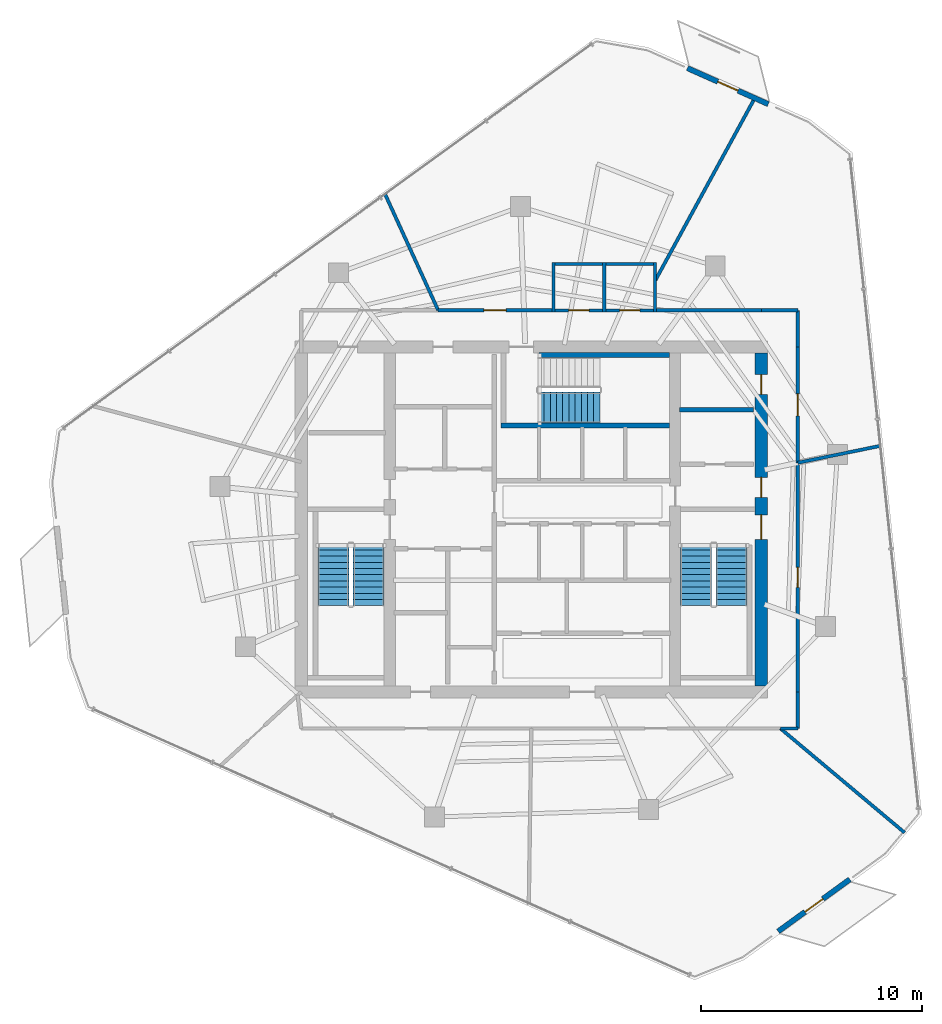
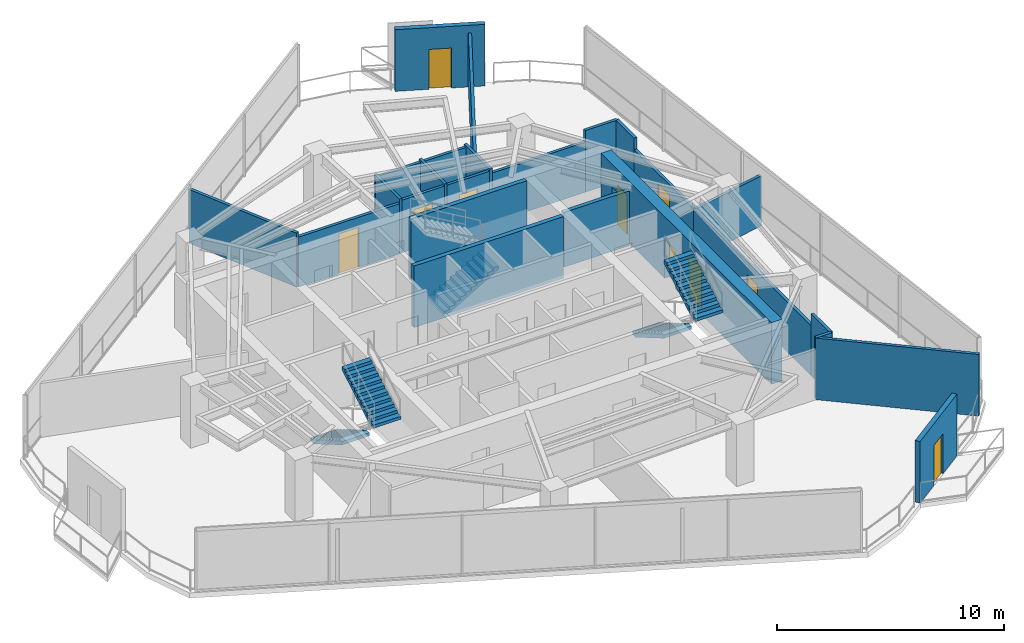
# One storey, part 17 of 20: 25 walls, 10 doors, 5 stair flights, 10 openings, 3 elements without a shape of their own.
"""IFC4 building model written with IfcOpenShell, lengths in metres."""

from ifc_helpers import new_model, si_unit, direction, frame, frame_2d, origin, place, context, subcontext, project, spatial, polyline, rectangle, outline, extrude, material, layer, layer_set, type_object, element, fill, aggregate, save


model = new_model("IFC4")

# Units and contexts
model_context = context("Model", 3, precision=1e-05, world=origin(), true_north=direction((0.0, 1.0)))
body_context = subcontext(model_context, "Body", "Model", "MODEL_VIEW")
ifc_project = project(units=[si_unit("LENGTHUNIT", "METRE"), si_unit("AREAUNIT", "SQUARE_METRE"), si_unit("VOLUMEUNIT", "CUBIC_METRE"), si_unit("PLANEANGLEUNIT", "RADIAN"), si_unit("MASSUNIT", "GRAM", prefix="KILO")], contexts=[model_context])

# Site, building, storey
site_placement = place(None, origin())
site = spatial("IfcSite", under=ifc_project, at=site_placement, CompositionType="ELEMENT")
building_placement = place(site_placement, origin())
building = spatial("IfcBuilding", under=site, at=building_placement, Name="Qarnah Convention Tower", CompositionType="ELEMENT")
storey_placement = place(building_placement, frame((0.0, 0.0, 202.199951171875)))
storey = spatial("IfcBuildingStorey", under=building, at=storey_placement, Name="L54", CompositionType="ELEMENT", Elevation=202.199951171875)

# Wall, openings, doors
ifc_material_1 = material(Name="Concrete C60/75", Category="concrete")
ifc_layer_1 = layer(ifc_material_1, 0.550048828125)
ifc_layer_set_1 = layer_set([ifc_layer_1], Name="Concrete C60/75")
wall_type_1 = type_object("IfcWallType", Name="WL-CORE-550", PredefinedType="SHEAR", material=ifc_layer_set_1)
wall_1_placement = place(storey_placement, frame((47.60009765625, 18.875, 0.0), z_axis=(0.0, 0.0, 1.0), x_axis=(0.0, 1.0, 0.0)))
wall_1 = element("IfcWall", 1, at=wall_1_placement, inside=storey, type_object=wall_type_1, Name="L54 core east shear wall", PredefinedType="SHEAR", context=body_context, shape_type="SweptSolid", body=[
    extrude(rectangle(XDim=15.050048828125, YDim=0.550048828125, at=frame_2d((7.52490234375, 0.0))), origin(), (0.0, 0.0, 1.0), 3.320068359375),
])
opening_1_placement = place(wall_1_placement, frame((6.625, 0.0, 0.0)))
opening_1 = element("IfcOpeningElement", 2, at=opening_1_placement, cuts=wall_1, Name="Opening D-5402", PredefinedType="OPENING", context=body_context, shape_type="SweptSolid", body=[
    extrude(rectangle(XDim=1.10009765625, YDim=2.14990234375, at=frame_2d((0.550048828125, 1.074951171875))), frame((0.0, 0.284912109375, 0.0), z_axis=(0.0, -1.0, 0.0), x_axis=(1.0, 0.0, 0.0)), (0.0, 0.0, 1.0), 0.570068359375),
])
opening_2_placement = place(wall_1_placement, frame((8.52490234375, 0.0, 0.0)))
opening_2 = element("IfcOpeningElement", 3, at=opening_2_placement, cuts=wall_1, Name="Opening D-5406", PredefinedType="OPENING", context=body_context, shape_type="SweptSolid", body=[
    extrude(rectangle(XDim=0.89990234375, YDim=2.10009765625, at=frame_2d((0.449951171875, 1.050048828125))), frame((0.0, 0.284912109375, 0.0), z_axis=(0.0, -1.0, 0.0), x_axis=(1.0, 0.0, 0.0)), (0.0, 0.0, 1.0), 0.570068359375),
])
opening_3_placement = place(wall_1_placement, frame((13.175048828125, 0.0, 0.0)))
opening_3 = element("IfcOpeningElement", 4, at=opening_3_placement, cuts=wall_1, Name="Opening D-5412", PredefinedType="OPENING", context=body_context, shape_type="SweptSolid", body=[
    extrude(rectangle(XDim=0.89990234375, YDim=2.10009765625, at=frame_2d((0.449951171875, 1.050048828125))), frame((0.0, 0.284912109375, 0.0), z_axis=(0.0, -1.0, 0.0), x_axis=(1.0, 0.0, 0.0)), (0.0, 0.0, 1.0), 0.570068359375),
])
ifc_material_2 = material(Name="Structural steel S355JR", Category="steel")
door_type_1 = type_object("IfcDoorType", Name="DT-RISER-900", OperationType="NOTDEFINED", PredefinedType="DOOR", material=ifc_material_2)
door_1_placement = place(opening_2_placement, origin())
door_1 = element("IfcDoor", 5, at=door_1_placement, inside=storey, type_object=door_type_1, Name="Door D-5406", OperationType="SINGLE_SWING_RIGHT", OverallHeight=2.10009765625, OverallWidth=0.89990234375, PredefinedType="DOOR", context=body_context, shape_type="SweptSolid", body=[
    extrude(rectangle(XDim=0.89990234375, YDim=2.10009765625, at=frame_2d((0.449951171875, 1.050048828125))), frame((0.0, 0.02490234375, 0.0), z_axis=(0.0, -1.0, 0.0), x_axis=(1.0, 0.0, 0.0)), (0.0, 0.0, 1.0), 0.050048828125),
])
fill(opening_2, door_1)
door_2_placement = place(opening_3_placement, origin())
door_2 = element("IfcDoor", 6, at=door_2_placement, inside=storey, type_object=door_type_1, Name="Door D-5412", OperationType="SINGLE_SWING_RIGHT", OverallHeight=2.10009765625, OverallWidth=0.89990234375, PredefinedType="DOOR", context=body_context, shape_type="SweptSolid", body=[
    extrude(rectangle(XDim=0.89990234375, YDim=2.10009765625, at=frame_2d((0.449951171875, 1.050048828125))), frame((0.0, 0.02490234375, 0.0), z_axis=(0.0, -1.0, 0.0), x_axis=(1.0, 0.0, 0.0)), (0.0, 0.0, 1.0), 0.050048828125),
])
fill(opening_3, door_2)
door_type_2 = type_object("IfcDoorType", Name="DT-STAIR-1100", OperationType="NOTDEFINED", PredefinedType="DOOR", material=ifc_material_2)
door_3_placement = place(opening_1_placement, origin())
door_3 = element("IfcDoor", 7, at=door_3_placement, inside=storey, type_object=door_type_2, Name="Door D-5402", OperationType="SINGLE_SWING_RIGHT", OverallHeight=2.14990234375, OverallWidth=1.10009765625, PredefinedType="DOOR", context=body_context, shape_type="SweptSolid", body=[
    extrude(rectangle(XDim=1.10009765625, YDim=2.14990234375, at=frame_2d((0.550048828125, 1.074951171875))), frame((0.0, 0.02490234375, 0.0), z_axis=(0.0, -1.0, 0.0), x_axis=(1.0, 0.0, 0.0)), (0.0, 0.0, 1.0), 0.050048828125),
])
fill(opening_1, door_3)

# Walls
ifc_material_3 = material(Name="Concrete C45/55", Category="concrete")
ifc_layer_2 = layer(ifc_material_3, 0.199951171875)
ifc_layer_set_2 = layer_set([ifc_layer_2], Name="Concrete C45/55")
wall_type_2 = type_object("IfcWallType", Name="WL-CORE-PART-200", PredefinedType="SOLIDWALL", material=ifc_layer_set_2)
wall_2_placement = place(storey_placement, frame((43.89990234375, 31.35009765625, 0.0), z_axis=(0.0, 0.0, 1.0), x_axis=(1.0, 0.0, 0.0)))
element("IfcWall", 8, at=wall_2_placement, inside=storey, type_object=wall_type_2, Name="L54 interior wall IW-L54-WTRN", PredefinedType="SOLIDWALL", context=body_context, shape_type="SweptSolid", body=[
    extrude(rectangle(XDim=3.35009765625, YDim=0.199951171875, at=frame_2d((1.675048828125, 0.0))), origin(), (0.0, 0.0, 1.0), 2.948974609375),
])
ifc_layer_3 = layer(ifc_material_1, 0.219970703125)
ifc_layer_set_3 = layer_set([ifc_layer_3], Name="Concrete C60/75")
wall_type_3 = type_object("IfcWallType", Name="WL-CORE-STAIR-220", PredefinedType="SHEAR", material=ifc_layer_set_3)
wall_3_placement = place(storey_placement, frame((35.840087890625, 30.639892578125, 0.0), z_axis=(0.0, 0.0, 1.0), x_axis=(1.0, 0.0, 0.0)))
element("IfcWall", 9, at=wall_3_placement, inside=storey, type_object=wall_type_3, Name="L54 stair shaft shear wall SW-L54-ST3S", PredefinedType="SHEAR", context=body_context, shape_type="SweptSolid", body=[
    extrude(rectangle(XDim=7.60986328125, YDim=0.219970703125, at=frame_2d((3.804931640625, 0.0))), origin(), (0.0, 0.0, 1.0), 3.320068359375),
])
wall_4_placement = place(storey_placement, frame((37.550048828125, 33.840087890625, 0.0), z_axis=(0.0, 0.0, 1.0), x_axis=(1.0, 0.0, 0.0)))
element("IfcWall", 10, at=wall_4_placement, inside=storey, type_object=wall_type_3, Name="L54 stair shaft shear wall SW-L54-ST3N", PredefinedType="SHEAR", context=body_context, shape_type="SweptSolid", body=[
    extrude(rectangle(XDim=5.89990234375, YDim=0.219970703125, at=frame_2d((2.949951171875, 0.0))), origin(), (0.0, 0.0, 1.0), 3.320068359375),
])

# Wall, opening, door
ifc_material_4 = material(Name="Precast concrete C45/55", Category="concrete")
ifc_layer_4 = layer(ifc_material_4, 0.239990234375)
ifc_layer_set_4 = layer_set([ifc_layer_4], Name="Precast concrete C45/55")
wall_type_4 = type_object("IfcWallType", Name="WL-EXT-BAL-240", PredefinedType="SOLIDWALL", material=ifc_layer_set_4)
wall_5_placement = place(storey_placement, frame((44.260009765625, 46.801025390625, 0.0), z_axis=(0.0, 0.0, 1.0), x_axis=(0.913539509426, -0.406750002727, 0.0)))
wall_5 = element("IfcWall", 11, at=wall_5_placement, inside=storey, type_object=wall_type_4, Name="L54 loggia threshold wall BAL-L54-C1", PredefinedType="SOLIDWALL", context=body_context, shape_type="SweptSolid", body=[
    extrude(rectangle(XDim=4.0, YDim=0.239990234375, at=frame_2d((2.0, 0.0))), origin(), (0.0, 0.0, 1.0), 3.320068359375),
])
opening_4_placement = place(wall_5_placement, frame((1.5, 0.0, 0.0)))
opening_4 = element("IfcOpeningElement", 12, at=opening_4_placement, cuts=wall_5, Name="Opening BD-5401", PredefinedType="OPENING", context=body_context, shape_type="SweptSolid", body=[
    extrude(rectangle(XDim=1.0, YDim=2.14990234375, at=frame_2d((0.5, 1.074951171875))), frame((0.0, 0.1298828125, 0.0), z_axis=(0.0, -1.0, 0.0), x_axis=(1.0, 0.0, 0.0)), (0.0, 0.0, 1.0), 0.260009765625),
])
ifc_material_5 = material(Name="Black anodised aluminium", Category="aluminium")
door_type_3 = type_object("IfcDoorType", Name="DT-BAL-1000", OperationType="NOTDEFINED", PredefinedType="DOOR", material=ifc_material_5)
door_4_placement = place(opening_4_placement, origin())
door_4 = element("IfcDoor", 13, at=door_4_placement, inside=storey, type_object=door_type_3, Name="L54 balcony terrace door BAL-L54-C1", OperationType="SINGLE_SWING_LEFT", OverallHeight=2.14990234375, OverallWidth=1.0, PredefinedType="DOOR", context=body_context, shape_type="SweptSolid", body=[
    extrude(rectangle(XDim=1.0, YDim=2.14990234375, at=frame_2d((0.5, 1.074951171875))), frame((0.0, 0.02490234375, 0.0), z_axis=(0.0, -1.0, 0.0), x_axis=(1.0, 0.0, 0.0)), (0.0, 0.0, 1.0), 0.050048828125),
])
fill(opening_4, door_4)

wall_6_placement = place(storey_placement, frame((51.597900390625, 10.1259765625, 0.0), z_axis=(0.0, 0.0, 1.0), x_axis=(-0.80900522917, -0.587801445368, 0.0)))
wall_6 = element("IfcWall", 14, at=wall_6_placement, inside=storey, type_object=wall_type_4, Name="L54 loggia threshold wall BAL-L54-C3", PredefinedType="SOLIDWALL", context=body_context, shape_type="SweptSolid", body=[
    extrude(rectangle(XDim=3.999755859375, YDim=0.239990234375, at=frame_2d((2.0, 0.0))), origin(), (0.0, 0.0, 1.0), 3.320068359375),
])
opening_5_placement = place(wall_6_placement, frame((1.5, 0.0, 0.0)))
opening_5 = element("IfcOpeningElement", 15, at=opening_5_placement, cuts=wall_6, Name="Opening BD-5403", PredefinedType="OPENING", context=body_context, shape_type="SweptSolid", body=[
    extrude(rectangle(XDim=1.0, YDim=2.14990234375, at=frame_2d((0.5, 1.074951171875))), frame((0.0, 0.1298828125, 0.0), z_axis=(0.0, -1.0, 0.0), x_axis=(1.0, 0.0, 0.0)), (0.0, 0.0, 1.0), 0.260009765625),
])
door_5_placement = place(opening_5_placement, origin())
door_5 = element("IfcDoor", 16, at=door_5_placement, inside=storey, type_object=door_type_3, Name="L54 balcony terrace door BAL-L54-C3", OperationType="SINGLE_SWING_LEFT", OverallHeight=2.14990234375, OverallWidth=1.0, PredefinedType="DOOR", context=body_context, shape_type="SweptSolid", body=[
    extrude(rectangle(XDim=1.0, YDim=2.14990234375, at=frame_2d((0.5, 1.074951171875))), frame((0.0, 0.02490234375, 0.0), z_axis=(0.0, -1.0, 0.0), x_axis=(1.0, 0.0, 0.0)), (0.0, 0.0, 1.0), 0.050048828125),
])
fill(opening_5, door_5)

# Walls
ifc_material_6 = material(Name="Gypsum partition board")
ifc_layer_5 = layer(ifc_material_6, 0.14990234375)
ifc_layer_set_5 = layer_set([ifc_layer_5], Name="Gypsum partition board")
wall_type_5 = type_object("IfcWallType", Name="WL-SUITE-150", PredefinedType="PARTITIONING", material=ifc_layer_set_5)
wall_7_placement = place(storey_placement, frame((47.33203125, 45.498046875, 0.0), z_axis=(0.0, 0.0, 1.0), x_axis=(-0.479103466894, -0.877758433745, 0.0)))
element("IfcWall", 17, at=wall_7_placement, inside=storey, type_object=wall_type_5, Name="L54 interior wall IW-L54-R-08", PredefinedType="PARTITIONING", context=body_context, shape_type="SweptSolid", body=[
    extrude(rectangle(XDim=9.459228515625, YDim=0.14990234375, at=frame_2d((4.7294921875, 0.0))), origin(), (0.0, 0.0, 1.0), 2.905029296875),
])
wall_8_placement = place(storey_placement, frame((42.8701171875, 35.85009765625, 0.0), z_axis=(0.0, 0.0, 1.0), x_axis=(1.0, 0.0, 0.0)))
element("IfcWall", 18, at=wall_8_placement, inside=storey, type_object=wall_type_5, Name="L54 interior wall IW-L54-R-09", PredefinedType="PARTITIONING", context=body_context, shape_type="SweptSolid", body=[
    extrude(rectangle(XDim=4.72998046875, YDim=0.14990234375, at=frame_2d((2.364990234375, 0.0))), origin(), (0.0, 0.0, 1.0), 2.697021484375),
])
wall_9_placement = place(storey_placement, frame((47.60009765625, 35.85009765625, 0.0), z_axis=(0.0, 0.0, 1.0), x_axis=(1.0, 0.0, 0.0)))
element("IfcWall", 19, at=wall_9_placement, inside=storey, type_object=wall_type_5, Name="L54 interior wall IW-L54-R-10", PredefinedType="PARTITIONING", context=body_context, shape_type="SweptSolid", body=[
    extrude(rectangle(XDim=1.64990234375, YDim=0.14990234375, at=frame_2d((0.824951171875, 0.0))), origin(), (0.0, 0.0, 1.0), 3.320068359375),
])
wall_10_placement = place(storey_placement, frame((49.25, 35.85009765625, 0.0), z_axis=(0.0, 0.0, 1.0), x_axis=(0.0, -1.0, 0.0)))
element("IfcWall", 20, at=wall_10_placement, inside=storey, type_object=wall_type_5, Name="L54 interior wall IW-L54-R-11", PredefinedType="PARTITIONING", context=body_context, shape_type="SweptSolid", body=[
    extrude(rectangle(XDim=1.650146484375, YDim=0.14990234375, at=frame_2d((0.8251953125, 0.0))), origin(), (0.0, 0.0, 1.0), 3.320068359375),
])

# Wall, opening, door
wall_11_placement = place(storey_placement, frame((49.25, 34.199951171875, 0.0), z_axis=(0.0, 0.0, 1.0), x_axis=(0.0, -1.0, 0.0)))
wall_11 = element("IfcWall", 21, at=wall_11_placement, inside=storey, type_object=wall_type_5, Name="L54 interior wall IW-L54-R-12", PredefinedType="PARTITIONING", context=body_context, shape_type="SweptSolid", body=[
    extrude(rectangle(XDim=5.239013671875, YDim=0.14990234375, at=frame_2d((2.61962890625, 0.0))), origin(), (0.0, 0.0, 1.0), 2.697021484375),
])
opening_6_placement = place(wall_11_placement, frame((2.1201171875, 0.0, 0.0)))
opening_6 = element("IfcOpeningElement", 22, at=opening_6_placement, cuts=wall_11, Name="Opening D-5420", PredefinedType="OPENING", context=body_context, shape_type="SweptSolid", body=[
    extrude(rectangle(XDim=1.0, YDim=2.14990234375, at=frame_2d((0.5, 1.074951171875))), frame((0.0, 0.0849609375, 0.0), z_axis=(0.0, -1.0, 0.0), x_axis=(1.0, 0.0, 0.0)), (0.0, 0.0, 1.0), 0.169921875),
])
ifc_material_7 = material(Name="Oak timber veneer", Category="wood")
door_type_4 = type_object("IfcDoorType", Name="DT-OFFICE-1000", OperationType="NOTDEFINED", PredefinedType="DOOR", material=ifc_material_7)
door_6_placement = place(opening_6_placement, origin())
door_6 = element("IfcDoor", 23, at=door_6_placement, inside=storey, type_object=door_type_4, Name="Door D-5420", OperationType="SINGLE_SWING_RIGHT", OverallHeight=2.14990234375, OverallWidth=1.0, PredefinedType="DOOR", context=body_context, shape_type="SweptSolid", body=[
    extrude(rectangle(XDim=1.0, YDim=2.14990234375, at=frame_2d((0.5, 1.074951171875))), frame((0.0, 0.02490234375, 0.0), z_axis=(0.0, -1.0, 0.0), x_axis=(1.0, 0.0, 0.0)), (0.0, 0.0, 1.0), 0.050048828125),
])
fill(opening_6, door_6)

# Walls
wall_12_placement = place(storey_placement, frame((49.25, 28.9609375, 0.0), z_axis=(0.0, 0.0, 1.0), x_axis=(0.979663432647, 0.200647847571, 0.0)))
element("IfcWall", 24, at=wall_12_placement, inside=storey, type_object=wall_type_5, Name="L54 interior wall IW-L54-R-13", PredefinedType="PARTITIONING", context=body_context, shape_type="SweptSolid", body=[
    extrude(rectangle(XDim=3.852294921875, YDim=0.14990234375, at=frame_2d((1.92626953125, 0.0))), origin(), (0.0, 0.0, 1.0), 2.697021484375),
])
wall_13_placement = place(storey_placement, frame((30.572021484375, 41.14404296875, 0.0), z_axis=(0.0, 0.0, 1.0), x_axis=(0.415874730244, -0.909421909097, 0.0)))
element("IfcWall", 25, at=wall_13_placement, inside=storey, type_object=wall_type_5, Name="L54 interior wall IW-L54-R-14", PredefinedType="PARTITIONING", context=body_context, shape_type="SweptSolid", body=[
    extrude(rectangle(XDim=5.8212890625, YDim=0.14990234375, at=frame_2d((2.91064453125, 0.0))), origin(), (0.0, 0.0, 1.0), 2.905029296875),
])

# Wall, opening, door
wall_14_placement = place(storey_placement, frame((32.992919921875, 35.85009765625, 0.0), z_axis=(0.0, 0.0, 1.0), x_axis=(1.0, 0.0, 0.0)))
wall_14 = element("IfcWall", 26, at=wall_14_placement, inside=storey, type_object=wall_type_5, Name="L54 interior wall IW-L54-R-15", PredefinedType="PARTITIONING", context=body_context, shape_type="SweptSolid", body=[
    extrude(rectangle(XDim=5.136962890625, YDim=0.14990234375, at=frame_2d((2.568359375, 0.0))), origin(), (0.0, 0.0, 1.0), 2.697021484375),
])
opening_7_placement = place(wall_14_placement, frame((2.068115234375, 0.0, 0.0)))
opening_7 = element("IfcOpeningElement", 27, at=opening_7_placement, cuts=wall_14, Name="Opening D-5421", PredefinedType="OPENING", context=body_context, shape_type="SweptSolid", body=[
    extrude(rectangle(XDim=1.0, YDim=2.14990234375, at=frame_2d((0.5, 1.074951171875))), frame((0.0, 0.0849609375, 0.0), z_axis=(0.0, -1.0, 0.0), x_axis=(1.0, 0.0, 0.0)), (0.0, 0.0, 1.0), 0.169921875),
])
door_7_placement = place(opening_7_placement, origin())
door_7 = element("IfcDoor", 28, at=door_7_placement, inside=storey, type_object=door_type_4, Name="Door D-5421", OperationType="SINGLE_SWING_LEFT", OverallHeight=2.14990234375, OverallWidth=1.0, PredefinedType="DOOR", context=body_context, shape_type="SweptSolid", body=[
    extrude(rectangle(XDim=1.0, YDim=2.14990234375, at=frame_2d((0.5, 1.074951171875))), frame((0.0, 0.02490234375, 0.0), z_axis=(0.0, -1.0, 0.0), x_axis=(1.0, 0.0, 0.0)), (0.0, 0.0, 1.0), 0.050048828125),
])
fill(opening_7, door_7)

# Wall
wall_15_placement = place(storey_placement, frame((54.074951171875, 12.239990234375, 0.0), z_axis=(0.0, 0.0, 1.0), x_axis=(-0.766040171192, 0.642792700737, 0.0)))
element("IfcWall", 29, at=wall_15_placement, inside=storey, type_object=wall_type_5, Name="L54 interior wall IW-L54-R-23", PredefinedType="PARTITIONING", context=body_context, shape_type="SweptSolid", body=[
    extrude(rectangle(XDim=7.327392578125, YDim=0.14990234375, at=frame_2d((3.66357421875, 0.0))), origin(), (0.0, 0.0, 1.0), 3.320068359375),
])

# Wall, opening, door
wall_16_placement = place(storey_placement, frame((49.25, 28.9609375, 0.0), z_axis=(0.0, 0.0, 1.0), x_axis=(0.0, -1.0, 0.0)))
wall_16 = element("IfcWall", 30, at=wall_16_placement, inside=storey, type_object=wall_type_5, Name="L54 interior wall IW-L54-R-25", PredefinedType="PARTITIONING", context=body_context, shape_type="SweptSolid", body=[
    extrude(rectangle(XDim=10.36083984375, YDim=0.14990234375, at=frame_2d((5.180419921875, 0.0))), origin(), (0.0, 0.0, 1.0), 2.697021484375),
])
opening_8_placement = place(wall_16_placement, frame((4.72998046875, 0.0, 0.0)))
opening_8 = element("IfcOpeningElement", 31, at=opening_8_placement, cuts=wall_16, Name="Opening D-5426", PredefinedType="OPENING", context=body_context, shape_type="SweptSolid", body=[
    extrude(rectangle(XDim=0.89990234375, YDim=2.0, at=frame_2d((0.449951171875, 1.0))), frame((0.0, 0.0849609375, 0.0), z_axis=(0.0, -1.0, 0.0), x_axis=(1.0, 0.0, 0.0)), (0.0, 0.0, 1.0), 0.169921875),
])
door_type_5 = type_object("IfcDoorType", Name="DT-PLANT-900", OperationType="NOTDEFINED", PredefinedType="DOOR", material=ifc_material_2)
door_8_placement = place(opening_8_placement, origin())
door_8 = element("IfcDoor", 32, at=door_8_placement, inside=storey, type_object=door_type_5, Name="Door D-5426", OperationType="SINGLE_SWING_RIGHT", OverallHeight=2.0, OverallWidth=0.89990234375, PredefinedType="DOOR", context=body_context, shape_type="SweptSolid", body=[
    extrude(rectangle(XDim=0.89990234375, YDim=2.0, at=frame_2d((0.449951171875, 1.0))), frame((0.0, 0.02490234375, 0.0), z_axis=(0.0, -1.0, 0.0), x_axis=(1.0, 0.0, 0.0)), (0.0, 0.0, 1.0), 0.050048828125),
])
fill(opening_8, door_8)

# Walls
wall_17_placement = place(storey_placement, frame((49.25, 18.60009765625, 0.0), z_axis=(0.0, 0.0, 1.0), x_axis=(0.0, -1.0, 0.0)))
element("IfcWall", 33, at=wall_17_placement, inside=storey, type_object=wall_type_5, Name="L54 interior wall IW-L54-R-26", PredefinedType="PARTITIONING", context=body_context, shape_type="SweptSolid", body=[
    extrude(rectangle(XDim=1.650146484375, YDim=0.14990234375, at=frame_2d((0.8251953125, 0.0))), origin(), (0.0, 0.0, 1.0), 3.320068359375),
])
wall_18_placement = place(storey_placement, frame((49.25, 16.949951171875, 0.0), z_axis=(0.0, 0.0, 1.0), x_axis=(-1.0, 0.0, 0.0)))
element("IfcWall", 34, at=wall_18_placement, inside=storey, type_object=wall_type_5, Name="L54 interior wall IW-L54-R-27", PredefinedType="PARTITIONING", context=body_context, shape_type="SweptSolid", body=[
    extrude(rectangle(XDim=0.7880859375, YDim=0.14990234375, at=frame_2d((0.39404296875, 0.0))), origin(), (0.0, 0.0, 1.0), 3.320068359375),
])

# Wall, opening, door
ifc_layer_6 = layer(ifc_material_6, 0.139892578125)
ifc_layer_set_6 = layer_set([ifc_layer_6], Name="Gypsum partition board")
wall_type_6 = type_object("IfcWallType", Name="WL-WET-140", PredefinedType="PARTITIONING", material=ifc_layer_set_6)
wall_19_placement = place(storey_placement, frame((38.1298828125, 35.85009765625, 0.0), z_axis=(0.0, 0.0, 1.0), x_axis=(1.0, 0.0, 0.0)))
wall_19 = element("IfcWall", 35, at=wall_19_placement, inside=storey, type_object=wall_type_6, Name="L54 interior wall IW-L54-WCM-1", PredefinedType="PARTITIONING", context=body_context, shape_type="SweptSolid", body=[
    extrude(rectangle(XDim=2.440185546875, YDim=0.139892578125, at=frame_2d((1.22021484375, 0.0))), origin(), (0.0, 0.0, 1.0), 2.841064453125),
])
opening_9_placement = place(wall_19_placement, frame((0.760009765625, 0.0, 0.0)))
opening_9 = element("IfcOpeningElement", 36, at=opening_9_placement, cuts=wall_19, Name="Opening D-5418", PredefinedType="OPENING", context=body_context, shape_type="SweptSolid", body=[
    extrude(rectangle(XDim=0.919921875, YDim=2.10009765625, at=frame_2d((0.4599609375, 1.050048828125))), frame((0.0, 0.079833984375, 0.0), z_axis=(0.0, -1.0, 0.0), x_axis=(1.0, 0.0, 0.0)), (0.0, 0.0, 1.0), 0.159912109375),
])
door_type_6 = type_object("IfcDoorType", Name="DT-WC-920", OperationType="NOTDEFINED", PredefinedType="DOOR", material=ifc_material_7)
door_9_placement = place(opening_9_placement, origin())
door_9 = element("IfcDoor", 37, at=door_9_placement, inside=storey, type_object=door_type_6, Name="Door D-5418", OperationType="SINGLE_SWING_RIGHT", OverallHeight=2.10009765625, OverallWidth=0.919921875, PredefinedType="DOOR", context=body_context, shape_type="SweptSolid", body=[
    extrude(rectangle(XDim=0.919921875, YDim=2.10009765625, at=frame_2d((0.4599609375, 1.050048828125))), frame((0.0, 0.02490234375, 0.0), z_axis=(0.0, -1.0, 0.0), x_axis=(1.0, 0.0, 0.0)), (0.0, 0.0, 1.0), 0.050048828125),
])
fill(opening_9, door_9)

# Walls
wall_20_placement = place(storey_placement, frame((40.5, 35.780029296875, 0.0), z_axis=(0.0, 0.0, 1.0), x_axis=(0.0, 1.0, 0.0)))
element("IfcWall", 38, at=wall_20_placement, inside=storey, type_object=wall_type_6, Name="L54 interior wall IW-L54-WCM-2", PredefinedType="PARTITIONING", context=body_context, shape_type="SweptSolid", body=[
    extrude(rectangle(XDim=2.239990234375, YDim=0.139892578125, at=frame_2d((1.1201171875, 0.0))), origin(), (0.0, 0.0, 1.0), 2.948974609375),
])
wall_21_placement = place(storey_placement, frame((40.570068359375, 37.949951171875, 0.0), z_axis=(0.0, 0.0, 1.0), x_axis=(-1.0, 0.0, 0.0)))
element("IfcWall", 39, at=wall_21_placement, inside=storey, type_object=wall_type_6, Name="L54 interior wall IW-L54-WCM-3", PredefinedType="PARTITIONING", context=body_context, shape_type="SweptSolid", body=[
    extrude(rectangle(XDim=2.440185546875, YDim=0.139892578125, at=frame_2d((1.22021484375, 0.0))), origin(), (0.0, 0.0, 1.0), 2.841064453125),
])
wall_22_placement = place(storey_placement, frame((38.199951171875, 38.02001953125, 0.0), z_axis=(0.0, 0.0, 1.0), x_axis=(0.0, -1.0, 0.0)))
element("IfcWall", 40, at=wall_22_placement, inside=storey, type_object=wall_type_6, Name="L54 interior wall IW-L54-WCM-4", PredefinedType="PARTITIONING", context=body_context, shape_type="SweptSolid", body=[
    extrude(rectangle(XDim=2.239990234375, YDim=0.139892578125, at=frame_2d((1.1201171875, 0.0))), origin(), (0.0, 0.0, 1.0), 2.948974609375),
])

# Wall, opening, door
wall_23_placement = place(storey_placement, frame((40.429931640625, 35.85009765625, 0.0), z_axis=(0.0, 0.0, 1.0), x_axis=(1.0, 0.0, 0.0)))
wall_23 = element("IfcWall", 41, at=wall_23_placement, inside=storey, type_object=wall_type_6, Name="L54 interior wall IW-L54-WCF-1", PredefinedType="PARTITIONING", context=body_context, shape_type="SweptSolid", body=[
    extrude(rectangle(XDim=2.440185546875, YDim=0.139892578125, at=frame_2d((1.22021484375, 0.0))), origin(), (0.0, 0.0, 1.0), 2.841064453125),
])
opening_10_placement = place(wall_23_placement, frame((0.760009765625, 0.0, 0.0)))
opening_10 = element("IfcOpeningElement", 42, at=opening_10_placement, cuts=wall_23, Name="Opening D-5419", PredefinedType="OPENING", context=body_context, shape_type="SweptSolid", body=[
    extrude(rectangle(XDim=0.919921875, YDim=2.10009765625, at=frame_2d((0.4599609375, 1.050048828125))), frame((0.0, 0.079833984375, 0.0), z_axis=(0.0, -1.0, 0.0), x_axis=(1.0, 0.0, 0.0)), (0.0, 0.0, 1.0), 0.159912109375),
])
door_10_placement = place(opening_10_placement, origin())
door_10 = element("IfcDoor", 43, at=door_10_placement, inside=storey, type_object=door_type_6, Name="Door D-5419", OperationType="SINGLE_SWING_LEFT", OverallHeight=2.10009765625, OverallWidth=0.919921875, PredefinedType="DOOR", context=body_context, shape_type="SweptSolid", body=[
    extrude(rectangle(XDim=0.919921875, YDim=2.10009765625, at=frame_2d((0.4599609375, 1.050048828125))), frame((0.0, 0.02490234375, 0.0), z_axis=(0.0, -1.0, 0.0), x_axis=(1.0, 0.0, 0.0)), (0.0, 0.0, 1.0), 0.050048828125),
])
fill(opening_10, door_10)

# Walls
wall_24_placement = place(storey_placement, frame((42.800048828125, 35.780029296875, 0.0), z_axis=(0.0, 0.0, 1.0), x_axis=(0.0, 1.0, 0.0)))
element("IfcWall", 44, at=wall_24_placement, inside=storey, type_object=wall_type_6, Name="L54 interior wall IW-L54-WCF-2", PredefinedType="PARTITIONING", context=body_context, shape_type="SweptSolid", body=[
    extrude(rectangle(XDim=2.239990234375, YDim=0.139892578125, at=frame_2d((1.1201171875, 0.0))), origin(), (0.0, 0.0, 1.0), 2.948974609375),
])
wall_25_placement = place(storey_placement, frame((42.8701171875, 37.949951171875, 0.0), z_axis=(0.0, 0.0, 1.0), x_axis=(-1.0, 0.0, 0.0)))
element("IfcWall", 45, at=wall_25_placement, inside=storey, type_object=wall_type_6, Name="L54 interior wall IW-L54-WCF-3", PredefinedType="PARTITIONING", context=body_context, shape_type="SweptSolid", body=[
    extrude(rectangle(XDim=2.440185546875, YDim=0.139892578125, at=frame_2d((1.22021484375, 0.0))), origin(), (0.0, 0.0, 1.0), 2.841064453125),
])

# Stair, stair flights
ifc_material_8 = material(Name="Concrete C50/60", Category="concrete")
stair_type = type_object("IfcStairType", Name="STR-OFF", PredefinedType="HALF_TURN_STAIR", material=ifc_material_8)
stair_1_placement = place(storey_placement, origin())
stair_1 = element("IfcStair", 46, at=stair_1_placement, inside=storey, type_object=stair_type, Name="L54 Core exit stair ST-1", PredefinedType="HALF_TURN_STAIR")
stair_flight_type = type_object("IfcStairFlightType", Name="FLT-OFF", PredefinedType="STRAIGHT", material=ifc_material_8)
stair_flight_1_placement = place(storey_placement, frame((28.25, 25.300048828125, 0.0), z_axis=(0.0, 0.0, 1.0), x_axis=(0.0, -1.0, 0.0)))
stair_flight_1 = element("IfcStairFlight", 47, at=stair_flight_1_placement, type_object=stair_flight_type, Name="ST-1 flight 1", NumberOfRisers=11, NumberOfTreads=10, PredefinedType="STRAIGHT", RiserHeight=0.163636364, TreadLength=0.28, context=body_context, shape_type="SweptSolid", body=[
    extrude(outline(polyline([(0.0, 0.0), (0.0, 0.16357421875), (0.280029296875, 0.16357421875), (0.280029296875, 0.327392578125), (0.56005859375, 0.327392578125), (0.56005859375, 0.490966796875), (0.840087890625, 0.490966796875), (0.840087890625, 0.654541015625), (1.1201171875, 0.654541015625), (1.1201171875, 0.818115234375), (1.39990234375, 0.818115234375), (1.39990234375, 0.98193359375), (1.679931640625, 0.98193359375), (1.679931640625, 1.1455078125), (1.9599609375, 1.1455078125), (1.9599609375, 1.30908203125), (2.239990234375, 1.30908203125), (2.239990234375, 1.47265625), (2.52001953125, 1.47265625), (2.52001953125, 1.636474609375), (2.800048828125, 1.636474609375), (2.800048828125, 1.800048828125), (2.800048828125, 1.462646484375), (0.297119140625, 0.0), (0.0, 0.0)])), frame((0.0, 0.699951171875, 0.0), z_axis=(0.0, -1.0, 0.0), x_axis=(1.0, 0.0, 0.0)), (0.0, 0.0, 1.0), 1.39990234375),
])
stair_flight_2_placement = place(storey_placement, frame((29.85009765625, 22.5, 1.800048828125), z_axis=(0.0, 0.0, 1.0), x_axis=(0.0, 1.0, 0.0)))
stair_flight_2 = element("IfcStairFlight", 48, at=stair_flight_2_placement, type_object=stair_flight_type, Name="ST-1 flight 2", NumberOfRisers=11, NumberOfTreads=10, PredefinedType="STRAIGHT", RiserHeight=0.163636364, TreadLength=0.28, context=body_context, shape_type="SweptSolid", body=[
    extrude(outline(polyline([(0.0, 0.0), (0.0, 0.16357421875), (0.280029296875, 0.16357421875), (0.280029296875, 0.327392578125), (0.56005859375, 0.327392578125), (0.56005859375, 0.490966796875), (0.840087890625, 0.490966796875), (0.840087890625, 0.654541015625), (1.1201171875, 0.654541015625), (1.1201171875, 0.818115234375), (1.39990234375, 0.818115234375), (1.39990234375, 0.98193359375), (1.679931640625, 0.98193359375), (1.679931640625, 1.1455078125), (1.9599609375, 1.1455078125), (1.9599609375, 1.30908203125), (2.239990234375, 1.30908203125), (2.239990234375, 1.47265625), (2.52001953125, 1.47265625), (2.52001953125, 1.636474609375), (2.800048828125, 1.636474609375), (2.800048828125, 1.800048828125), (2.800048828125, 1.462646484375), (0.297119140625, 0.0), (0.0, 0.0)])), frame((0.0, 0.699951171875, 0.0), z_axis=(0.0, -1.0, 0.0), x_axis=(1.0, 0.0, 0.0)), (0.0, 0.0, 1.0), 1.39990234375),
])
aggregate(stair_1, [stair_flight_1, stair_flight_2])

stair_2_placement = place(storey_placement, origin())
stair_2 = element("IfcStair", 49, at=stair_2_placement, inside=storey, type_object=stair_type, Name="L54 Core exit stair ST-2", PredefinedType="HALF_TURN_STAIR")
stair_flight_3_placement = place(storey_placement, frame((44.64990234375, 25.300048828125, 0.0), z_axis=(0.0, 0.0, 1.0), x_axis=(0.0, -1.0, 0.0)))
stair_flight_3 = element("IfcStairFlight", 50, at=stair_flight_3_placement, type_object=stair_flight_type, Name="ST-2 flight 1", NumberOfRisers=11, NumberOfTreads=10, PredefinedType="STRAIGHT", RiserHeight=0.163636364, TreadLength=0.28, context=body_context, shape_type="SweptSolid", body=[
    extrude(outline(polyline([(0.0, 0.0), (0.0, 0.16357421875), (0.280029296875, 0.16357421875), (0.280029296875, 0.327392578125), (0.56005859375, 0.327392578125), (0.56005859375, 0.490966796875), (0.840087890625, 0.490966796875), (0.840087890625, 0.654541015625), (1.1201171875, 0.654541015625), (1.1201171875, 0.818115234375), (1.39990234375, 0.818115234375), (1.39990234375, 0.98193359375), (1.679931640625, 0.98193359375), (1.679931640625, 1.1455078125), (1.9599609375, 1.1455078125), (1.9599609375, 1.30908203125), (2.239990234375, 1.30908203125), (2.239990234375, 1.47265625), (2.52001953125, 1.47265625), (2.52001953125, 1.636474609375), (2.800048828125, 1.636474609375), (2.800048828125, 1.800048828125), (2.800048828125, 1.462646484375), (0.297119140625, 0.0), (0.0, 0.0)])), frame((0.0, 0.699951171875, 0.0), z_axis=(0.0, -1.0, 0.0), x_axis=(1.0, 0.0, 0.0)), (0.0, 0.0, 1.0), 1.39990234375),
])
stair_flight_4_placement = place(storey_placement, frame((46.25, 22.5, 1.800048828125), z_axis=(0.0, 0.0, 1.0), x_axis=(0.0, 1.0, 0.0)))
stair_flight_4 = element("IfcStairFlight", 51, at=stair_flight_4_placement, type_object=stair_flight_type, Name="ST-2 flight 2", NumberOfRisers=11, NumberOfTreads=10, PredefinedType="STRAIGHT", RiserHeight=0.163636364, TreadLength=0.28, context=body_context, shape_type="SweptSolid", body=[
    extrude(outline(polyline([(0.0, 0.0), (0.0, 0.16357421875), (0.280029296875, 0.16357421875), (0.280029296875, 0.327392578125), (0.56005859375, 0.327392578125), (0.56005859375, 0.490966796875), (0.840087890625, 0.490966796875), (0.840087890625, 0.654541015625), (1.1201171875, 0.654541015625), (1.1201171875, 0.818115234375), (1.39990234375, 0.818115234375), (1.39990234375, 0.98193359375), (1.679931640625, 0.98193359375), (1.679931640625, 1.1455078125), (1.9599609375, 1.1455078125), (1.9599609375, 1.30908203125), (2.239990234375, 1.30908203125), (2.239990234375, 1.47265625), (2.52001953125, 1.47265625), (2.52001953125, 1.636474609375), (2.800048828125, 1.636474609375), (2.800048828125, 1.800048828125), (2.800048828125, 1.462646484375), (0.297119140625, 0.0), (0.0, 0.0)])), frame((0.0, 0.699951171875, 0.0), z_axis=(0.0, -1.0, 0.0), x_axis=(1.0, 0.0, 0.0)), (0.0, 0.0, 1.0), 1.39990234375),
])
aggregate(stair_2, [stair_flight_3, stair_flight_4])

# Stair, stair flight
stair_3_placement = place(storey_placement, origin())
stair_3 = element("IfcStair", 52, at=stair_3_placement, inside=storey, type_object=stair_type, Name="L54 Core exit stair ST-3", PredefinedType="HALF_TURN_STAIR")
stair_flight_5_placement = place(storey_placement, frame((37.5, 31.449951171875, 0.0), z_axis=(0.0, 0.0, 1.0), x_axis=(1.0, 0.0, 0.0)))
stair_flight_5 = element("IfcStairFlight", 53, at=stair_flight_5_placement, type_object=stair_flight_type, Name="ST-3 flight 1", NumberOfRisers=11, NumberOfTreads=10, PredefinedType="STRAIGHT", RiserHeight=0.163636364, TreadLength=0.28, context=body_context, shape_type="SweptSolid", body=[
    extrude(outline(polyline([(0.0, 0.0), (0.0, 0.16357421875), (0.280029296875, 0.16357421875), (0.280029296875, 0.327392578125), (0.56005859375, 0.327392578125), (0.56005859375, 0.490966796875), (0.840087890625, 0.490966796875), (0.840087890625, 0.654541015625), (1.1201171875, 0.654541015625), (1.1201171875, 0.818115234375), (1.39990234375, 0.818115234375), (1.39990234375, 0.98193359375), (1.679931640625, 0.98193359375), (1.679931640625, 1.1455078125), (1.9599609375, 1.1455078125), (1.9599609375, 1.30908203125), (2.239990234375, 1.30908203125), (2.239990234375, 1.47265625), (2.52001953125, 1.47265625), (2.52001953125, 1.636474609375), (2.800048828125, 1.636474609375), (2.800048828125, 1.800048828125), (2.800048828125, 1.462646484375), (0.297119140625, 0.0), (0.0, 0.0)])), frame((0.0, 0.699951171875, 0.0), z_axis=(0.0, -1.0, 0.0), x_axis=(1.0, 0.0, 0.0)), (0.0, 0.0, 1.0), 1.39990234375),
])
aggregate(stair_3, [stair_flight_5])

save(model, "model.ifc")
